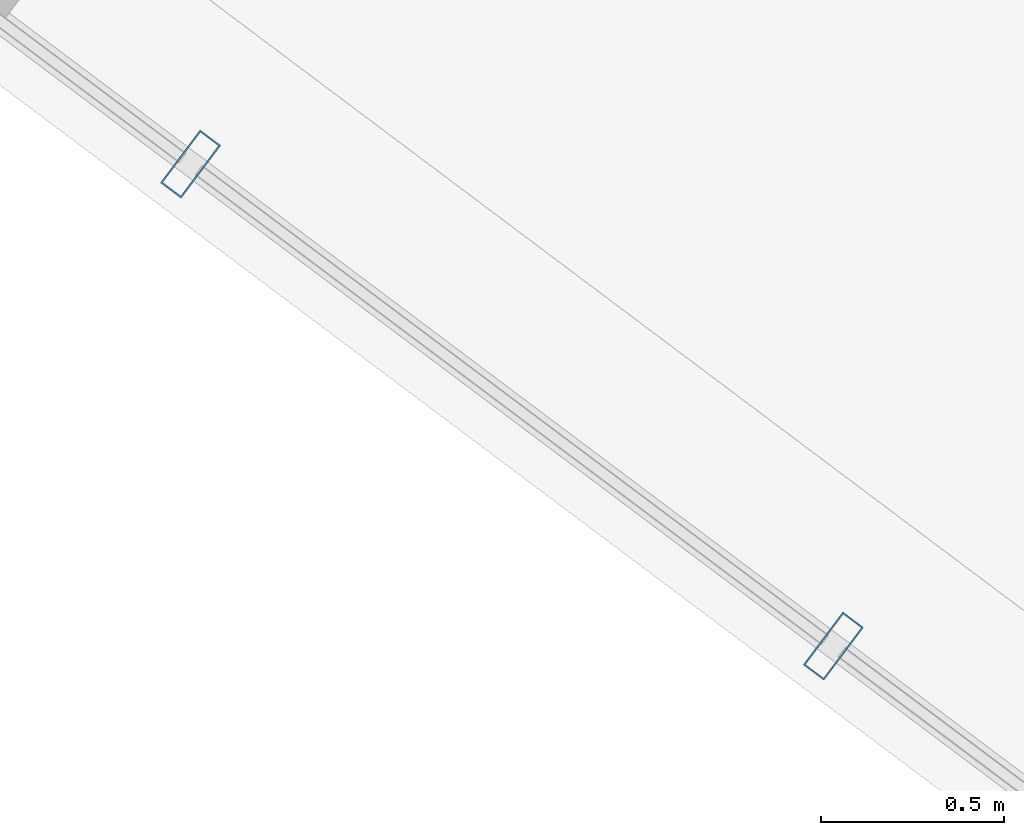
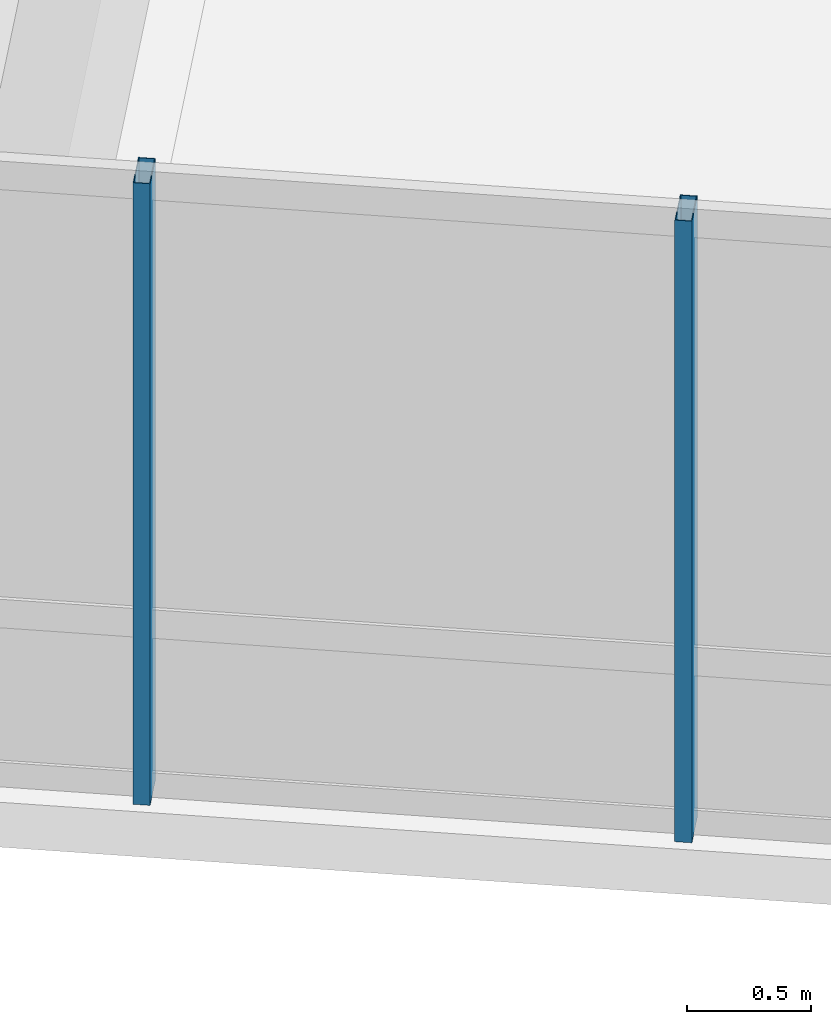
# One storey, part 4 of 36: 2 members, 1 element without a shape of its own.
"""IFC4 building model written with IfcOpenShell, lengths in metres."""

from ifc_helpers import new_model, si_unit, direction, frame, origin, origin_2d, place, context, subcontext, project, spatial, hollow_rectangle, extrude, material, layer, layer_set, material_profile, profile_set, type_object, element, aggregate, save


model = new_model("IFC4")

# Units and contexts
model_context = context("Model", 3, precision=1e-05, world=origin(), true_north=direction((0.0, 1.0)))
body_context = subcontext(model_context, "Body", "Model", "MODEL_VIEW")
ifc_project = project(units=[si_unit("LENGTHUNIT", "METRE"), si_unit("AREAUNIT", "SQUARE_METRE"), si_unit("VOLUMEUNIT", "CUBIC_METRE"), si_unit("PLANEANGLEUNIT", "RADIAN"), si_unit("MASSUNIT", "GRAM", prefix="KILO")], contexts=[model_context])

# Site, building, storey
site_placement = place(None, origin())
site = spatial("IfcSite", under=ifc_project, at=site_placement, CompositionType="ELEMENT")
building_placement = place(site_placement, origin())
building = spatial("IfcBuilding", under=site, at=building_placement, Name="Hatsunagi Terrace Concourse", CompositionType="ELEMENT")
storey_placement = place(building_placement, frame((0.0, 0.0, 88.0)))
storey = spatial("IfcBuildingStorey", under=building, at=storey_placement, Name="L23", CompositionType="ELEMENT", Elevation=88.0)

# Curtain wall, members
ifc_material_1 = material(Name="Anodised Aluminium Alloy 6063-T5", Category="aluminium")
ifc_layer = layer(ifc_material_1, 0.199951171875)
ifc_layer_set = layer_set([ifc_layer], Name="HotelFacade_CW02")
curtain_wall_type = type_object("IfcCurtainWallType", Name="HotelFacade_CW02", PredefinedType="NOTDEFINED", material=ifc_layer_set)
curtain_wall_placement = place(storey_placement, origin())
curtain_wall = element("IfcCurtainWall", 1, at=curtain_wall_placement, inside=storey, type_object=curtain_wall_type, Name="Unitised Curtain Wall CW-02 CW-L23-05", PredefinedType="NOTDEFINED")
ifc_material_2 = material(Name="Anodised Aluminium Alloy 6063-T5", Category="aluminium")
ifc_material_profile = material_profile(ifc_material_2, hollow_rectangle(XDim=0.070068359375, YDim=0.179931640625, WallThickness=0.00390625, at=origin_2d()), Name="ALU-MUL-180x70x4")
ifc_profile_set = profile_set([ifc_material_profile], Name="Anodised Aluminium Alloy 6063-T5")
member_type = type_object("IfcMemberType", Name="CurtainWallMullion_180x70", PredefinedType="MULLION", material=ifc_profile_set)
member_1_placement = place(storey_placement, frame((35.77392578125, 15.64501953125, 0.0), z_axis=(0.0, 0.0, 1.0), x_axis=(-0.800003116929, 0.599995844072, 0.0)))
member_1 = element("IfcMember", 2, at=member_1_placement, type_object=member_type, Name="Curtain Wall Mullion MUL-02", PredefinedType="MULLION", context=body_context, shape_type="SweptSolid", body=[
    extrude(hollow_rectangle(XDim=0.070068359375, YDim=0.179931640625, WallThickness=0.00390625, at=origin_2d()), origin(), (0.0, 0.0, 1.0), 3.050048828125),
])
member_2_placement = place(storey_placement, frame((34.01904296875, 16.9609375, 0.0), z_axis=(0.0, 0.0, 1.0), x_axis=(-0.800003116929, 0.599995844072, 0.0)))
member_2 = element("IfcMember", 3, at=member_2_placement, type_object=member_type, Name="Curtain Wall Mullion MUL-02", PredefinedType="MULLION", context=body_context, shape_type="SweptSolid", body=[
    extrude(hollow_rectangle(XDim=0.070068359375, YDim=0.179931640625, WallThickness=0.00390625, at=origin_2d()), origin(), (0.0, 0.0, 1.0), 3.050048828125),
])
aggregate(curtain_wall, [member_1, member_2])

save(model, "model.ifc")
